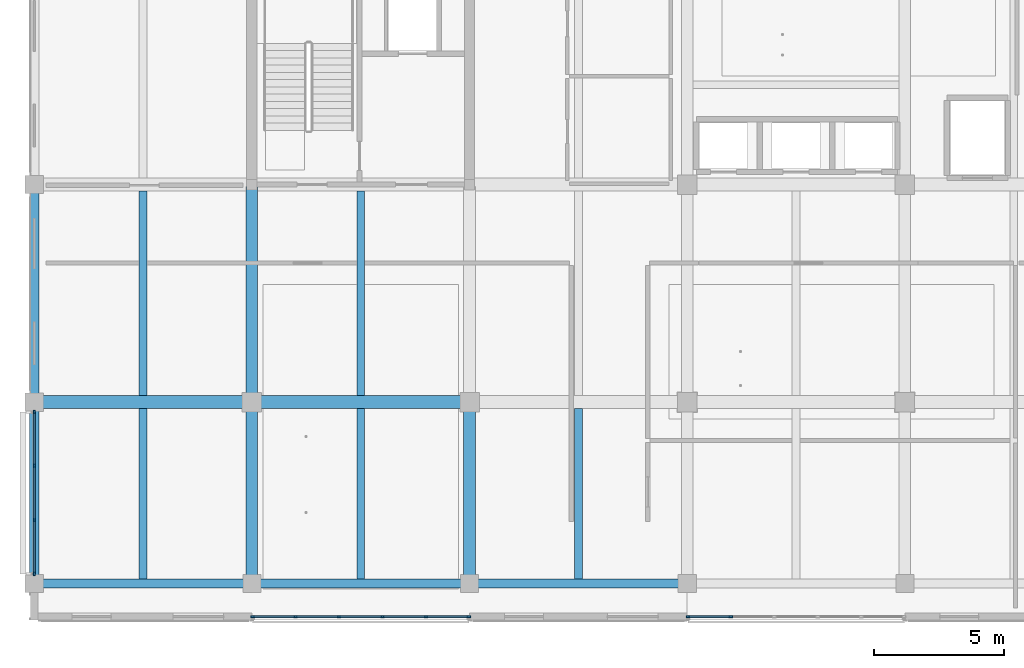
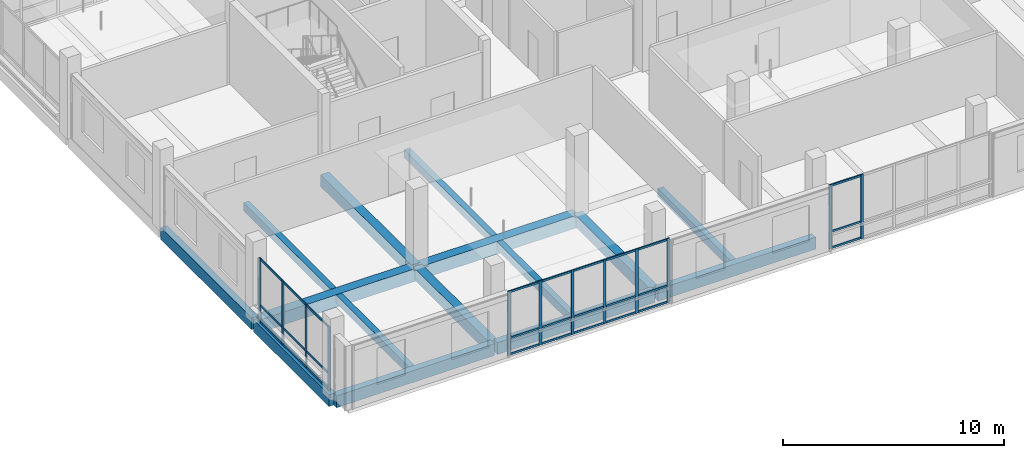
# One storey, part 2 of 35: 39 members, 15 beams, 3 elements without a shape of their own.
"""IFC4 building model written with IfcOpenShell, lengths in metres."""

from ifc_helpers import new_model, si_unit, direction, frame, origin, origin_2d, place, context, subcontext, project, spatial, rectangle, extrude, material, layer, layer_set, material_profile, profile_set, type_object, element, aggregate, save


model = new_model("IFC4")

# Units and contexts
model_context = context("Model", 3, precision=1e-05, world=origin(), true_north=direction((0.0, 1.0)))
body_context = subcontext(model_context, "Body", "Model", "MODEL_VIEW")
ifc_project = project(units=[si_unit("LENGTHUNIT", "METRE"), si_unit("AREAUNIT", "SQUARE_METRE"), si_unit("VOLUMEUNIT", "CUBIC_METRE"), si_unit("PLANEANGLEUNIT", "RADIAN"), si_unit("MASSUNIT", "GRAM", prefix="KILO")], contexts=[model_context])

# Site, building, storey
site_placement = place(None, origin())
site = spatial("IfcSite", under=ifc_project, at=site_placement, CompositionType="ELEMENT")
building_placement = place(site_placement, origin())
building = spatial("IfcBuilding", under=site, at=building_placement, Name="Telukmera Botanical Conservatory", CompositionType="ELEMENT")
storey_placement = place(building_placement, frame((0.0, 0.0, 46.5)))
storey = spatial("IfcBuildingStorey", under=building, at=storey_placement, Name="L10", CompositionType="ELEMENT", Elevation=46.5)

# Beams
ifc_material_1 = material(Name="Concrete C40/50", Category="concrete")
ifc_material_profile_1 = material_profile(ifc_material_1, rectangle(XDim=0.5, YDim=0.699951171875, at=origin_2d()), Name="RC 500x700")
ifc_profile_set_1 = profile_set([ifc_material_profile_1], Name="Concrete C40/50")
beam_type_1 = type_object("IfcBeamType", Name="Beam_B14", PredefinedType="BEAM", material=ifc_profile_set_1)
beam_1_placement = place(storey_placement, frame((50.47998046875, 17.60009765625, -0.35009765625), z_axis=(1.0, 0.0, 0.0), x_axis=(0.0, 1.0, 0.0)))
element("IfcBeam", 1, at=beam_1_placement, inside=storey, type_object=beam_type_1, Name="Tower Grid Beam L10", PredefinedType="BEAM", context=body_context, shape_type="SweptSolid", body=[
    extrude(rectangle(XDim=0.5, YDim=0.699951171875, at=origin_2d()), origin(), (0.0, 0.0, 1.0), 8.239990234375),
])
beam_2_placement = place(storey_placement, frame((58.8798828125, 17.60009765625, -0.35009765625), z_axis=(1.0, 0.0, 0.0), x_axis=(0.0, 1.0, 0.0)))
element("IfcBeam", 2, at=beam_2_placement, inside=storey, type_object=beam_type_1, Name="Tower Grid Beam L10", PredefinedType="BEAM", context=body_context, shape_type="SweptSolid", body=[
    extrude(rectangle(XDim=0.5, YDim=0.699951171875, at=origin_2d()), origin(), (0.0, 0.0, 1.0), 8.240234375),
])
ifc_material_profile_2 = material_profile(ifc_material_1, rectangle(XDim=0.449951171875, YDim=0.64990234375, at=origin_2d()), Name="RC 450x650")
ifc_profile_set_2 = profile_set([ifc_material_profile_2], Name="Concrete C40/50")
beam_type_2 = type_object("IfcBeamType", Name="Beam_B16", PredefinedType="BEAM", material=ifc_profile_set_2)
beam_3_placement = place(storey_placement, frame((58.800048828125, 10.679931640625, -0.324951171875), z_axis=(0.0, 1.0, 0.0), x_axis=(-1.0, 0.0, 0.0)))
element("IfcBeam", 3, at=beam_3_placement, inside=storey, type_object=beam_type_2, Name="Tower Transverse Beam L10", PredefinedType="BEAM", context=body_context, shape_type="SweptSolid", body=[
    extrude(rectangle(XDim=0.449951171875, YDim=0.64990234375, at=origin_2d()), origin(), (0.0, 0.0, 1.0), 6.840087890625),
])
beam_4_placement = place(storey_placement, frame((58.800048828125, 17.679931640625, -0.324951171875), z_axis=(0.0, 1.0, 0.0), x_axis=(-1.0, 0.0, 0.0)))
element("IfcBeam", 4, at=beam_4_placement, inside=storey, type_object=beam_type_2, Name="Tower Transverse Beam L10", PredefinedType="BEAM", context=body_context, shape_type="SweptSolid", body=[
    extrude(rectangle(XDim=0.449951171875, YDim=0.64990234375, at=origin_2d()), origin(), (0.0, 0.0, 1.0), 8.239990234375),
])
beam_5_placement = place(storey_placement, frame((67.199951171875, 10.679931640625, -0.324951171875), z_axis=(0.0, 1.0, 0.0), x_axis=(-1.0, 0.0, 0.0)))
element("IfcBeam", 5, at=beam_5_placement, inside=storey, type_object=beam_type_2, Name="Tower Transverse Beam L10", PredefinedType="BEAM", context=body_context, shape_type="SweptSolid", body=[
    extrude(rectangle(XDim=0.449951171875, YDim=0.64990234375, at=origin_2d()), origin(), (0.0, 0.0, 1.0), 6.840087890625),
])
ifc_material_profile_3 = material_profile(ifc_material_1, rectangle(XDim=0.300048828125, YDim=0.449951171875, at=origin_2d()), Name="RC 300x450")
ifc_profile_set_3 = profile_set([ifc_material_profile_3], Name="Concrete C40/50")
beam_type_3 = type_object("IfcBeamType", Name="Beam_B25", PredefinedType="JOIST", material=ifc_profile_set_3)
beam_6_placement = place(storey_placement, frame((54.60009765625, 10.77490234375, -0.22509765625), z_axis=(0.0, 1.0, 0.0), x_axis=(-1.0, 0.0, 0.0)))
element("IfcBeam", 6, at=beam_6_placement, inside=storey, type_object=beam_type_3, Name="Tower Secondary Floor Joist L10", PredefinedType="JOIST", context=body_context, shape_type="SweptSolid", body=[
    extrude(rectangle(XDim=0.300048828125, YDim=0.449951171875, at=origin_2d()), origin(), (0.0, 0.0, 1.0), 6.5751953125),
])
beam_7_placement = place(storey_placement, frame((54.60009765625, 17.85009765625, -0.22509765625), z_axis=(0.0, 1.0, 0.0), x_axis=(-1.0, 0.0, 0.0)))
element("IfcBeam", 7, at=beam_7_placement, inside=storey, type_object=beam_type_3, Name="Tower Secondary Floor Joist L10", PredefinedType="JOIST", context=body_context, shape_type="SweptSolid", body=[
    extrude(rectangle(XDim=0.300048828125, YDim=0.449951171875, at=origin_2d()), origin(), (0.0, 0.0, 1.0), 7.89990234375),
])
beam_8_placement = place(storey_placement, frame((63.0, 10.77490234375, -0.22509765625), z_axis=(0.0, 1.0, 0.0), x_axis=(-1.0, 0.0, 0.0)))
element("IfcBeam", 8, at=beam_8_placement, inside=storey, type_object=beam_type_3, Name="Tower Secondary Floor Joist L10", PredefinedType="JOIST", context=body_context, shape_type="SweptSolid", body=[
    extrude(rectangle(XDim=0.300048828125, YDim=0.449951171875, at=origin_2d()), origin(), (0.0, 0.0, 1.0), 6.5751953125),
])
beam_9_placement = place(storey_placement, frame((63.0, 17.85009765625, -0.22509765625), z_axis=(0.0, 1.0, 0.0), x_axis=(-1.0, 0.0, 0.0)))
element("IfcBeam", 9, at=beam_9_placement, inside=storey, type_object=beam_type_3, Name="Tower Secondary Floor Joist L10", PredefinedType="JOIST", context=body_context, shape_type="SweptSolid", body=[
    extrude(rectangle(XDim=0.300048828125, YDim=0.449951171875, at=origin_2d()), origin(), (0.0, 0.0, 1.0), 7.89990234375),
])
beam_10_placement = place(storey_placement, frame((71.39990234375, 10.77490234375, -0.22509765625), z_axis=(0.0, 1.0, 0.0), x_axis=(-1.0, 0.0, 0.0)))
element("IfcBeam", 10, at=beam_10_placement, inside=storey, type_object=beam_type_3, Name="Tower Secondary Floor Joist L10", PredefinedType="JOIST", context=body_context, shape_type="SweptSolid", body=[
    extrude(rectangle(XDim=0.300048828125, YDim=0.449951171875, at=origin_2d()), origin(), (0.0, 0.0, 1.0), 6.5751953125),
])
ifc_material_2 = material(Name="Precast concrete C40/50", Category="concrete")
ifc_material_profile_4 = material_profile(ifc_material_2, rectangle(XDim=0.35009765625, YDim=0.64990234375, at=origin_2d()), Name="PC 350x650")
ifc_profile_set_4 = profile_set([ifc_material_profile_4], Name="Precast concrete C40/50")
beam_type_4 = type_object("IfcBeamType", Name="Beam_SP3", PredefinedType="SPANDREL", material=ifc_profile_set_4)
beam_11_placement = place(storey_placement, frame((50.47998046875, 10.60009765625, -0.324951171875), z_axis=(1.0, 0.0, 0.0), x_axis=(0.0, 1.0, 0.0)))
element("IfcBeam", 11, at=beam_11_placement, inside=storey, type_object=beam_type_4, Name="Tower Grid Beam L10", PredefinedType="SPANDREL", context=body_context, shape_type="SweptSolid", body=[
    extrude(rectangle(XDim=0.35009765625, YDim=0.64990234375, at=origin_2d()), origin(), (0.0, 0.0, 1.0), 8.239990234375),
])
beam_12_placement = place(storey_placement, frame((58.8798828125, 10.60009765625, -0.324951171875), z_axis=(1.0, 0.0, 0.0), x_axis=(0.0, 1.0, 0.0)))
element("IfcBeam", 12, at=beam_12_placement, inside=storey, type_object=beam_type_4, Name="Tower Grid Beam L10", PredefinedType="SPANDREL", context=body_context, shape_type="SweptSolid", body=[
    extrude(rectangle(XDim=0.35009765625, YDim=0.64990234375, at=origin_2d()), origin(), (0.0, 0.0, 1.0), 8.240234375),
])
beam_13_placement = place(storey_placement, frame((67.280029296875, 10.60009765625, -0.324951171875), z_axis=(1.0, 0.0, 0.0), x_axis=(0.0, 1.0, 0.0)))
element("IfcBeam", 13, at=beam_13_placement, inside=storey, type_object=beam_type_4, Name="Tower Grid Beam L10", PredefinedType="SPANDREL", context=body_context, shape_type="SweptSolid", body=[
    extrude(rectangle(XDim=0.35009765625, YDim=0.64990234375, at=origin_2d()), origin(), (0.0, 0.0, 1.0), 8.239990234375),
])
beam_14_placement = place(storey_placement, frame((50.39990234375, 10.679931640625, -0.324951171875), z_axis=(0.0, 1.0, 0.0), x_axis=(-1.0, 0.0, 0.0)))
element("IfcBeam", 14, at=beam_14_placement, inside=storey, type_object=beam_type_4, Name="Tower Transverse Beam L10", PredefinedType="SPANDREL", context=body_context, shape_type="SweptSolid", body=[
    extrude(rectangle(XDim=0.35009765625, YDim=0.64990234375, at=origin_2d()), origin(), (0.0, 0.0, 1.0), 6.840087890625),
])
beam_15_placement = place(storey_placement, frame((50.39990234375, 17.679931640625, -0.324951171875), z_axis=(0.0, 1.0, 0.0), x_axis=(-1.0, 0.0, 0.0)))
element("IfcBeam", 15, at=beam_15_placement, inside=storey, type_object=beam_type_4, Name="Tower Transverse Beam L10", PredefinedType="SPANDREL", context=body_context, shape_type="SweptSolid", body=[
    extrude(rectangle(XDim=0.35009765625, YDim=0.64990234375, at=origin_2d()), origin(), (0.0, 0.0, 1.0), 8.239990234375),
])

# Curtain wall, members
ifc_material_3 = material(Name="Anodised aluminium 6063-T6", Category="aluminium")
ifc_layer = layer(ifc_material_3, 0.179931640625)
ifc_layer_set = layer_set([ifc_layer], Name="Anodised aluminium 6063-T6")
curtain_wall_type = type_object("IfcCurtainWallType", Name="Tower Research Laboratory Unitised Curtain Wall", PredefinedType="USERDEFINED", material=ifc_layer_set)
curtain_wall_1_placement = place(storey_placement, origin())
curtain_wall_1 = element("IfcCurtainWall", 16, at=curtain_wall_1_placement, inside=storey, type_object=curtain_wall_type, Name="Unitised Curtain Wall CW15 V4:L10:S2", ObjectType="UNITISED CURTAIN WALL", PredefinedType="USERDEFINED")
ifc_material_profile_5 = material_profile(ifc_material_3, rectangle(XDim=0.06005859375, YDim=0.139892578125, at=origin_2d()), Name="ALU MULL 60x140")
ifc_profile_set_5 = profile_set([ifc_material_profile_5], Name="Anodised aluminium 6063-T6")
member_type_1 = type_object("IfcMemberType", Name="Curtain Wall Extruded Mullion 60x140", PredefinedType="MULLION", material=ifc_profile_set_5)
member_1_placement = place(storey_placement, frame((58.83203125, 9.320068359375, 0.0), z_axis=(0.0, 0.0, 1.0), x_axis=(0.0, 1.0, 0.0)))
member_1 = element("IfcMember", 17, at=member_1_placement, type_object=member_type_1, Name="CW15 mullion 1", PredefinedType="MULLION", context=body_context, shape_type="SweptSolid", body=[
    extrude(rectangle(XDim=0.06005859375, YDim=0.139892578125, at=origin_2d()), origin(), (0.0, 0.0, 1.0), 3.550048828125),
])
member_2_placement = place(storey_placement, frame((60.481201171875, 9.320068359375, 0.0), z_axis=(0.0, 0.0, 1.0), x_axis=(0.0, 1.0, 0.0)))
member_2 = element("IfcMember", 18, at=member_2_placement, type_object=member_type_1, Name="CW15 mullion 2", PredefinedType="MULLION", context=body_context, shape_type="SweptSolid", body=[
    extrude(rectangle(XDim=0.06005859375, YDim=0.139892578125, at=origin_2d()), origin(), (0.0, 0.0, 1.0), 3.550048828125),
])
member_3_placement = place(storey_placement, frame((62.160400390625, 9.320068359375, 0.0), z_axis=(0.0, 0.0, 1.0), x_axis=(0.0, 1.0, 0.0)))
member_3 = element("IfcMember", 19, at=member_3_placement, type_object=member_type_1, Name="CW15 mullion 3", PredefinedType="MULLION", context=body_context, shape_type="SweptSolid", body=[
    extrude(rectangle(XDim=0.06005859375, YDim=0.139892578125, at=origin_2d()), origin(), (0.0, 0.0, 1.0), 3.550048828125),
])
member_4_placement = place(storey_placement, frame((63.839599609375, 9.320068359375, 0.0), z_axis=(0.0, 0.0, 1.0), x_axis=(0.0, 1.0, 0.0)))
member_4 = element("IfcMember", 20, at=member_4_placement, type_object=member_type_1, Name="CW15 mullion 4", PredefinedType="MULLION", context=body_context, shape_type="SweptSolid", body=[
    extrude(rectangle(XDim=0.06005859375, YDim=0.139892578125, at=origin_2d()), origin(), (0.0, 0.0, 1.0), 3.550048828125),
])
member_5_placement = place(storey_placement, frame((65.518798828125, 9.320068359375, 0.0), z_axis=(0.0, 0.0, 1.0), x_axis=(0.0, 1.0, 0.0)))
member_5 = element("IfcMember", 21, at=member_5_placement, type_object=member_type_1, Name="CW15 mullion 5", PredefinedType="MULLION", context=body_context, shape_type="SweptSolid", body=[
    extrude(rectangle(XDim=0.06005859375, YDim=0.139892578125, at=origin_2d()), origin(), (0.0, 0.0, 1.0), 3.550048828125),
])
member_6_placement = place(storey_placement, frame((67.16796875, 9.320068359375, 0.0), z_axis=(0.0, 0.0, 1.0), x_axis=(0.0, 1.0, 0.0)))
member_6 = element("IfcMember", 22, at=member_6_placement, type_object=member_type_1, Name="CW15 mullion 6", PredefinedType="MULLION", context=body_context, shape_type="SweptSolid", body=[
    extrude(rectangle(XDim=0.06005859375, YDim=0.139892578125, at=origin_2d()), origin(), (0.0, 0.0, 1.0), 3.550048828125),
])

curtain_wall_2_placement = place(storey_placement, origin())
curtain_wall_2 = element("IfcCurtainWall", 23, at=curtain_wall_2_placement, inside=storey, type_object=curtain_wall_type, Name="Unitised Curtain Wall CW15 V4:L10:S4", ObjectType="UNITISED CURTAIN WALL", PredefinedType="USERDEFINED")
member_7_placement = place(storey_placement, frame((75.632080078125, 9.320068359375, 0.0), z_axis=(0.0, 0.0, 1.0), x_axis=(0.0, 1.0, 0.0)))
member_7 = element("IfcMember", 24, at=member_7_placement, type_object=member_type_1, Name="CW15 mullion 1", PredefinedType="MULLION", context=body_context, shape_type="SweptSolid", body=[
    extrude(rectangle(XDim=0.06005859375, YDim=0.139892578125, at=origin_2d()), origin(), (0.0, 0.0, 1.0), 3.550048828125),
])
member_8_placement = place(storey_placement, frame((77.28125, 9.320068359375, 0.0), z_axis=(0.0, 0.0, 1.0), x_axis=(0.0, 1.0, 0.0)))
member_8 = element("IfcMember", 25, at=member_8_placement, type_object=member_type_1, Name="CW15 mullion 2", PredefinedType="MULLION", context=body_context, shape_type="SweptSolid", body=[
    extrude(rectangle(XDim=0.06005859375, YDim=0.139892578125, at=origin_2d()), origin(), (0.0, 0.0, 1.0), 3.550048828125),
])

curtain_wall_3_placement = place(storey_placement, origin())
curtain_wall_3 = element("IfcCurtainWall", 26, at=curtain_wall_3_placement, inside=storey, type_object=curtain_wall_type, Name="Unitised Curtain Wall CW15 V4:L10:W1", ObjectType="UNITISED CURTAIN WALL", PredefinedType="USERDEFINED")
member_9_placement = place(storey_placement, frame((50.39990234375, 10.98193359375, 0.0), z_axis=(0.0, 0.0, 1.0), x_axis=(-1.0, 0.0, 0.0)))
member_9 = element("IfcMember", 27, at=member_9_placement, type_object=member_type_1, Name="CW15 mullion 1", PredefinedType="MULLION", context=body_context, shape_type="SweptSolid", body=[
    extrude(rectangle(XDim=0.06005859375, YDim=0.139892578125, at=origin_2d()), origin(), (0.0, 0.0, 1.0), 3.550048828125),
])
member_10_placement = place(storey_placement, frame((50.39990234375, 13.05078125, 0.0), z_axis=(0.0, 0.0, 1.0), x_axis=(-1.0, 0.0, 0.0)))
member_10 = element("IfcMember", 28, at=member_10_placement, type_object=member_type_1, Name="CW15 mullion 2", PredefinedType="MULLION", context=body_context, shape_type="SweptSolid", body=[
    extrude(rectangle(XDim=0.06005859375, YDim=0.139892578125, at=origin_2d()), origin(), (0.0, 0.0, 1.0), 3.550048828125),
])
member_11_placement = place(storey_placement, frame((50.39990234375, 15.1494140625, 0.0), z_axis=(0.0, 0.0, 1.0), x_axis=(-1.0, 0.0, 0.0)))
member_11 = element("IfcMember", 29, at=member_11_placement, type_object=member_type_1, Name="CW15 mullion 3", PredefinedType="MULLION", context=body_context, shape_type="SweptSolid", body=[
    extrude(rectangle(XDim=0.06005859375, YDim=0.139892578125, at=origin_2d()), origin(), (0.0, 0.0, 1.0), 3.550048828125),
])
member_12_placement = place(storey_placement, frame((50.39990234375, 17.218017578125, 0.0), z_axis=(0.0, 0.0, 1.0), x_axis=(-1.0, 0.0, 0.0)))
member_12 = element("IfcMember", 30, at=member_12_placement, type_object=member_type_1, Name="CW15 mullion 4", PredefinedType="MULLION", context=body_context, shape_type="SweptSolid", body=[
    extrude(rectangle(XDim=0.06005859375, YDim=0.139892578125, at=origin_2d()), origin(), (0.0, 0.0, 1.0), 3.550048828125),
])

# Member
ifc_material_profile_6 = material_profile(ifc_material_3, rectangle(XDim=0.06005859375, YDim=0.110107421875, at=origin_2d()), Name="ALU TRAN 60x110")
ifc_profile_set_6 = profile_set([ifc_material_profile_6], Name="Anodised aluminium 6063-T6")
member_type_2 = type_object("IfcMemberType", Name="Curtain Wall Extruded Transom 60x110", PredefinedType="USERDEFINED", material=ifc_profile_set_6)
member_13_placement = place(storey_placement, frame((58.862060546875, 9.320068359375, 0.054931640625), z_axis=(1.0, 0.0, 0.0), x_axis=(0.0, 1.0, 0.0)))
member_13 = element("IfcMember", 31, at=member_13_placement, type_object=member_type_2, Name="CW15 transom 1.1", ObjectType="TRANSOM", PredefinedType="USERDEFINED", context=body_context, shape_type="SweptSolid", body=[
    extrude(rectangle(XDim=0.06005859375, YDim=0.110107421875, at=origin_2d()), origin(), (0.0, 0.0, 1.0), 1.589111328125),
])

member_14_placement = place(storey_placement, frame((58.862060546875, 9.320068359375, 0.949951171875), z_axis=(1.0, 0.0, 0.0), x_axis=(0.0, 1.0, 0.0)))
member_14 = element("IfcMember", 32, at=member_14_placement, type_object=member_type_2, Name="CW15 transom 1.2", ObjectType="TRANSOM", PredefinedType="USERDEFINED", context=body_context, shape_type="SweptSolid", body=[
    extrude(rectangle(XDim=0.06005859375, YDim=0.110107421875, at=origin_2d()), origin(), (0.0, 0.0, 1.0), 1.589111328125),
])

member_15_placement = place(storey_placement, frame((58.862060546875, 9.320068359375, 3.4951171875), z_axis=(1.0, 0.0, 0.0), x_axis=(0.0, 1.0, 0.0)))
member_15 = element("IfcMember", 33, at=member_15_placement, type_object=member_type_2, Name="CW15 transom 1.3", ObjectType="TRANSOM", PredefinedType="USERDEFINED", context=body_context, shape_type="SweptSolid", body=[
    extrude(rectangle(XDim=0.06005859375, YDim=0.110107421875, at=origin_2d()), origin(), (0.0, 0.0, 1.0), 1.589111328125),
])

member_16_placement = place(storey_placement, frame((60.51123046875, 9.320068359375, 0.054931640625), z_axis=(1.0, 0.0, 0.0), x_axis=(0.0, 1.0, 0.0)))
member_16 = element("IfcMember", 34, at=member_16_placement, type_object=member_type_2, Name="CW15 transom 2.1", ObjectType="TRANSOM", PredefinedType="USERDEFINED", context=body_context, shape_type="SweptSolid", body=[
    extrude(rectangle(XDim=0.06005859375, YDim=0.110107421875, at=origin_2d()), origin(), (0.0, 0.0, 1.0), 1.619140625),
])

member_17_placement = place(storey_placement, frame((60.51123046875, 9.320068359375, 0.949951171875), z_axis=(1.0, 0.0, 0.0), x_axis=(0.0, 1.0, 0.0)))
member_17 = element("IfcMember", 35, at=member_17_placement, type_object=member_type_2, Name="CW15 transom 2.2", ObjectType="TRANSOM", PredefinedType="USERDEFINED", context=body_context, shape_type="SweptSolid", body=[
    extrude(rectangle(XDim=0.06005859375, YDim=0.110107421875, at=origin_2d()), origin(), (0.0, 0.0, 1.0), 1.619140625),
])

member_18_placement = place(storey_placement, frame((60.51123046875, 9.320068359375, 3.4951171875), z_axis=(1.0, 0.0, 0.0), x_axis=(0.0, 1.0, 0.0)))
member_18 = element("IfcMember", 36, at=member_18_placement, type_object=member_type_2, Name="CW15 transom 2.3", ObjectType="TRANSOM", PredefinedType="USERDEFINED", context=body_context, shape_type="SweptSolid", body=[
    extrude(rectangle(XDim=0.06005859375, YDim=0.110107421875, at=origin_2d()), origin(), (0.0, 0.0, 1.0), 1.619140625),
])

member_19_placement = place(storey_placement, frame((62.1904296875, 9.320068359375, 0.054931640625), z_axis=(1.0, 0.0, 0.0), x_axis=(0.0, 1.0, 0.0)))
member_19 = element("IfcMember", 37, at=member_19_placement, type_object=member_type_2, Name="CW15 transom 3.1", ObjectType="TRANSOM", PredefinedType="USERDEFINED", context=body_context, shape_type="SweptSolid", body=[
    extrude(rectangle(XDim=0.06005859375, YDim=0.110107421875, at=origin_2d()), origin(), (0.0, 0.0, 1.0), 1.619140625),
])

member_20_placement = place(storey_placement, frame((62.1904296875, 9.320068359375, 0.949951171875), z_axis=(1.0, 0.0, 0.0), x_axis=(0.0, 1.0, 0.0)))
member_20 = element("IfcMember", 38, at=member_20_placement, type_object=member_type_2, Name="CW15 transom 3.2", ObjectType="TRANSOM", PredefinedType="USERDEFINED", context=body_context, shape_type="SweptSolid", body=[
    extrude(rectangle(XDim=0.06005859375, YDim=0.110107421875, at=origin_2d()), origin(), (0.0, 0.0, 1.0), 1.619140625),
])

member_21_placement = place(storey_placement, frame((62.1904296875, 9.320068359375, 3.4951171875), z_axis=(1.0, 0.0, 0.0), x_axis=(0.0, 1.0, 0.0)))
member_21 = element("IfcMember", 39, at=member_21_placement, type_object=member_type_2, Name="CW15 transom 3.3", ObjectType="TRANSOM", PredefinedType="USERDEFINED", context=body_context, shape_type="SweptSolid", body=[
    extrude(rectangle(XDim=0.06005859375, YDim=0.110107421875, at=origin_2d()), origin(), (0.0, 0.0, 1.0), 1.619140625),
])

member_22_placement = place(storey_placement, frame((63.86962890625, 9.320068359375, 0.054931640625), z_axis=(1.0, 0.0, 0.0), x_axis=(0.0, 1.0, 0.0)))
member_22 = element("IfcMember", 40, at=member_22_placement, type_object=member_type_2, Name="CW15 transom 4.1", ObjectType="TRANSOM", PredefinedType="USERDEFINED", context=body_context, shape_type="SweptSolid", body=[
    extrude(rectangle(XDim=0.06005859375, YDim=0.110107421875, at=origin_2d()), origin(), (0.0, 0.0, 1.0), 1.619140625),
])

member_23_placement = place(storey_placement, frame((63.86962890625, 9.320068359375, 0.949951171875), z_axis=(1.0, 0.0, 0.0), x_axis=(0.0, 1.0, 0.0)))
member_23 = element("IfcMember", 41, at=member_23_placement, type_object=member_type_2, Name="CW15 transom 4.2", ObjectType="TRANSOM", PredefinedType="USERDEFINED", context=body_context, shape_type="SweptSolid", body=[
    extrude(rectangle(XDim=0.06005859375, YDim=0.110107421875, at=origin_2d()), origin(), (0.0, 0.0, 1.0), 1.619140625),
])

member_24_placement = place(storey_placement, frame((63.86962890625, 9.320068359375, 3.4951171875), z_axis=(1.0, 0.0, 0.0), x_axis=(0.0, 1.0, 0.0)))
member_24 = element("IfcMember", 42, at=member_24_placement, type_object=member_type_2, Name="CW15 transom 4.3", ObjectType="TRANSOM", PredefinedType="USERDEFINED", context=body_context, shape_type="SweptSolid", body=[
    extrude(rectangle(XDim=0.06005859375, YDim=0.110107421875, at=origin_2d()), origin(), (0.0, 0.0, 1.0), 1.619140625),
])

member_25_placement = place(storey_placement, frame((65.548828125, 9.320068359375, 0.054931640625), z_axis=(1.0, 0.0, 0.0), x_axis=(0.0, 1.0, 0.0)))
member_25 = element("IfcMember", 43, at=member_25_placement, type_object=member_type_2, Name="CW15 transom 5.1", ObjectType="TRANSOM", PredefinedType="USERDEFINED", context=body_context, shape_type="SweptSolid", body=[
    extrude(rectangle(XDim=0.06005859375, YDim=0.110107421875, at=origin_2d()), origin(), (0.0, 0.0, 1.0), 1.589111328125),
])

member_26_placement = place(storey_placement, frame((65.548828125, 9.320068359375, 0.949951171875), z_axis=(1.0, 0.0, 0.0), x_axis=(0.0, 1.0, 0.0)))
member_26 = element("IfcMember", 44, at=member_26_placement, type_object=member_type_2, Name="CW15 transom 5.2", ObjectType="TRANSOM", PredefinedType="USERDEFINED", context=body_context, shape_type="SweptSolid", body=[
    extrude(rectangle(XDim=0.06005859375, YDim=0.110107421875, at=origin_2d()), origin(), (0.0, 0.0, 1.0), 1.589111328125),
])

member_27_placement = place(storey_placement, frame((65.548828125, 9.320068359375, 3.4951171875), z_axis=(1.0, 0.0, 0.0), x_axis=(0.0, 1.0, 0.0)))
member_27 = element("IfcMember", 45, at=member_27_placement, type_object=member_type_2, Name="CW15 transom 5.3", ObjectType="TRANSOM", PredefinedType="USERDEFINED", context=body_context, shape_type="SweptSolid", body=[
    extrude(rectangle(XDim=0.06005859375, YDim=0.110107421875, at=origin_2d()), origin(), (0.0, 0.0, 1.0), 1.589111328125),
])

aggregate(curtain_wall_1, [member_1, member_2, member_3, member_4, member_5, member_6, member_13, member_14, member_15, member_16, member_17, member_18, member_19, member_20, member_21, member_22, member_23, member_24, member_25, member_26, member_27])

member_28_placement = place(storey_placement, frame((75.662109375, 9.320068359375, 0.054931640625), z_axis=(1.0, 0.0, 0.0), x_axis=(0.0, 1.0, 0.0)))
member_28 = element("IfcMember", 46, at=member_28_placement, type_object=member_type_2, Name="CW15 transom 1.1", ObjectType="TRANSOM", PredefinedType="USERDEFINED", context=body_context, shape_type="SweptSolid", body=[
    extrude(rectangle(XDim=0.06005859375, YDim=0.110107421875, at=origin_2d()), origin(), (0.0, 0.0, 1.0), 1.589111328125),
])

member_29_placement = place(storey_placement, frame((75.662109375, 9.320068359375, 0.949951171875), z_axis=(1.0, 0.0, 0.0), x_axis=(0.0, 1.0, 0.0)))
member_29 = element("IfcMember", 47, at=member_29_placement, type_object=member_type_2, Name="CW15 transom 1.2", ObjectType="TRANSOM", PredefinedType="USERDEFINED", context=body_context, shape_type="SweptSolid", body=[
    extrude(rectangle(XDim=0.06005859375, YDim=0.110107421875, at=origin_2d()), origin(), (0.0, 0.0, 1.0), 1.589111328125),
])

member_30_placement = place(storey_placement, frame((75.662109375, 9.320068359375, 3.4951171875), z_axis=(1.0, 0.0, 0.0), x_axis=(0.0, 1.0, 0.0)))
member_30 = element("IfcMember", 48, at=member_30_placement, type_object=member_type_2, Name="CW15 transom 1.3", ObjectType="TRANSOM", PredefinedType="USERDEFINED", context=body_context, shape_type="SweptSolid", body=[
    extrude(rectangle(XDim=0.06005859375, YDim=0.110107421875, at=origin_2d()), origin(), (0.0, 0.0, 1.0), 1.589111328125),
])

aggregate(curtain_wall_2, [member_7, member_8, member_28, member_29, member_30])

member_31_placement = place(storey_placement, frame((50.39990234375, 11.011962890625, 0.054931640625), z_axis=(0.0, 1.0, 0.0), x_axis=(-1.0, 0.0, 0.0)))
member_31 = element("IfcMember", 49, at=member_31_placement, type_object=member_type_2, Name="CW15 transom 1.1", ObjectType="TRANSOM", PredefinedType="USERDEFINED", context=body_context, shape_type="SweptSolid", body=[
    extrude(rectangle(XDim=0.06005859375, YDim=0.110107421875, at=origin_2d()), origin(), (0.0, 0.0, 1.0), 2.0087890625),
])

member_32_placement = place(storey_placement, frame((50.39990234375, 11.011962890625, 0.949951171875), z_axis=(0.0, 1.0, 0.0), x_axis=(-1.0, 0.0, 0.0)))
member_32 = element("IfcMember", 50, at=member_32_placement, type_object=member_type_2, Name="CW15 transom 1.2", ObjectType="TRANSOM", PredefinedType="USERDEFINED", context=body_context, shape_type="SweptSolid", body=[
    extrude(rectangle(XDim=0.06005859375, YDim=0.110107421875, at=origin_2d()), origin(), (0.0, 0.0, 1.0), 2.0087890625),
])

member_33_placement = place(storey_placement, frame((50.39990234375, 11.011962890625, 3.4951171875), z_axis=(0.0, 1.0, 0.0), x_axis=(-1.0, 0.0, 0.0)))
member_33 = element("IfcMember", 51, at=member_33_placement, type_object=member_type_2, Name="CW15 transom 1.3", ObjectType="TRANSOM", PredefinedType="USERDEFINED", context=body_context, shape_type="SweptSolid", body=[
    extrude(rectangle(XDim=0.06005859375, YDim=0.110107421875, at=origin_2d()), origin(), (0.0, 0.0, 1.0), 2.0087890625),
])

member_34_placement = place(storey_placement, frame((50.39990234375, 13.08056640625, 0.054931640625), z_axis=(0.0, 1.0, 0.0), x_axis=(-1.0, 0.0, 0.0)))
member_34 = element("IfcMember", 52, at=member_34_placement, type_object=member_type_2, Name="CW15 transom 2.1", ObjectType="TRANSOM", PredefinedType="USERDEFINED", context=body_context, shape_type="SweptSolid", body=[
    extrude(rectangle(XDim=0.06005859375, YDim=0.110107421875, at=origin_2d()), origin(), (0.0, 0.0, 1.0), 2.038818359375),
])

member_35_placement = place(storey_placement, frame((50.39990234375, 13.08056640625, 0.949951171875), z_axis=(0.0, 1.0, 0.0), x_axis=(-1.0, 0.0, 0.0)))
member_35 = element("IfcMember", 53, at=member_35_placement, type_object=member_type_2, Name="CW15 transom 2.2", ObjectType="TRANSOM", PredefinedType="USERDEFINED", context=body_context, shape_type="SweptSolid", body=[
    extrude(rectangle(XDim=0.06005859375, YDim=0.110107421875, at=origin_2d()), origin(), (0.0, 0.0, 1.0), 2.038818359375),
])

member_36_placement = place(storey_placement, frame((50.39990234375, 13.08056640625, 3.4951171875), z_axis=(0.0, 1.0, 0.0), x_axis=(-1.0, 0.0, 0.0)))
member_36 = element("IfcMember", 54, at=member_36_placement, type_object=member_type_2, Name="CW15 transom 2.3", ObjectType="TRANSOM", PredefinedType="USERDEFINED", context=body_context, shape_type="SweptSolid", body=[
    extrude(rectangle(XDim=0.06005859375, YDim=0.110107421875, at=origin_2d()), origin(), (0.0, 0.0, 1.0), 2.038818359375),
])

member_37_placement = place(storey_placement, frame((50.39990234375, 15.179443359375, 0.054931640625), z_axis=(0.0, 1.0, 0.0), x_axis=(-1.0, 0.0, 0.0)))
member_37 = element("IfcMember", 55, at=member_37_placement, type_object=member_type_2, Name="CW15 transom 3.1", ObjectType="TRANSOM", PredefinedType="USERDEFINED", context=body_context, shape_type="SweptSolid", body=[
    extrude(rectangle(XDim=0.06005859375, YDim=0.110107421875, at=origin_2d()), origin(), (0.0, 0.0, 1.0), 2.008544921875),
])

member_38_placement = place(storey_placement, frame((50.39990234375, 15.179443359375, 0.949951171875), z_axis=(0.0, 1.0, 0.0), x_axis=(-1.0, 0.0, 0.0)))
member_38 = element("IfcMember", 56, at=member_38_placement, type_object=member_type_2, Name="CW15 transom 3.2", ObjectType="TRANSOM", PredefinedType="USERDEFINED", context=body_context, shape_type="SweptSolid", body=[
    extrude(rectangle(XDim=0.06005859375, YDim=0.110107421875, at=origin_2d()), origin(), (0.0, 0.0, 1.0), 2.008544921875),
])

member_39_placement = place(storey_placement, frame((50.39990234375, 15.179443359375, 3.4951171875), z_axis=(0.0, 1.0, 0.0), x_axis=(-1.0, 0.0, 0.0)))
member_39 = element("IfcMember", 57, at=member_39_placement, type_object=member_type_2, Name="CW15 transom 3.3", ObjectType="TRANSOM", PredefinedType="USERDEFINED", context=body_context, shape_type="SweptSolid", body=[
    extrude(rectangle(XDim=0.06005859375, YDim=0.110107421875, at=origin_2d()), origin(), (0.0, 0.0, 1.0), 2.008544921875),
])

aggregate(curtain_wall_3, [member_9, member_10, member_11, member_12, member_31, member_32, member_33, member_34, member_35, member_36, member_37, member_38, member_39])

save(model, "model.ifc")
